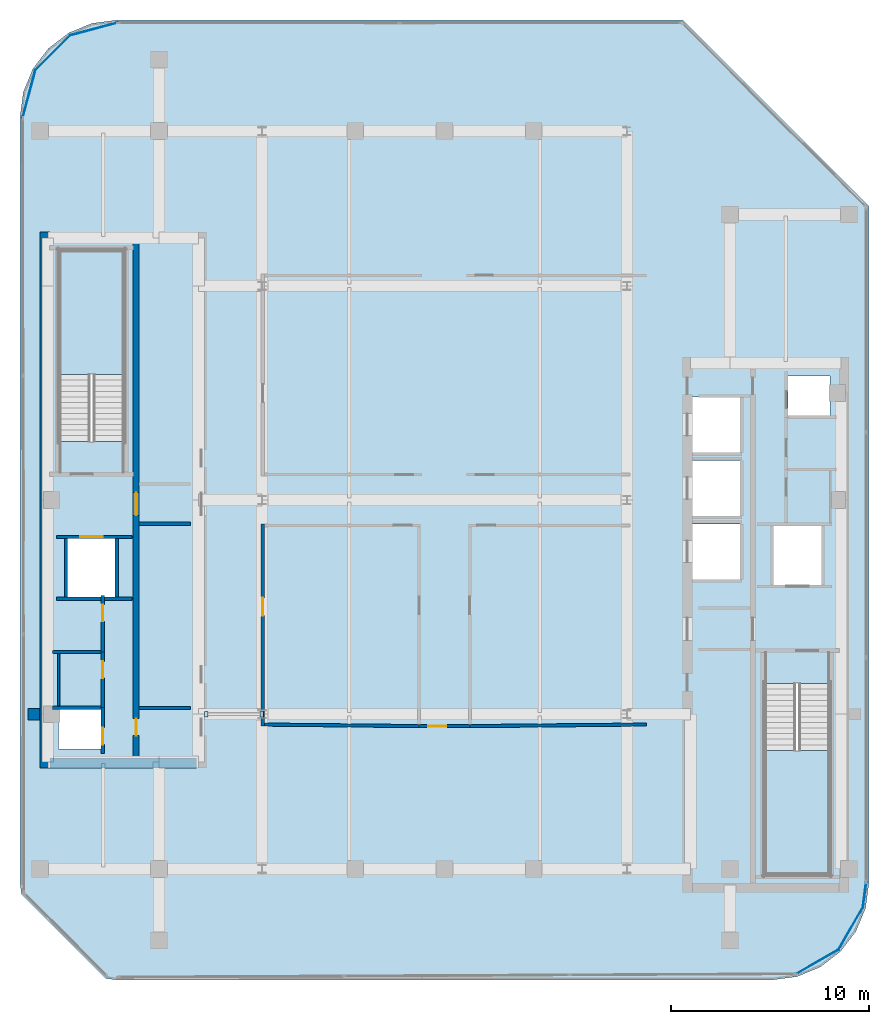
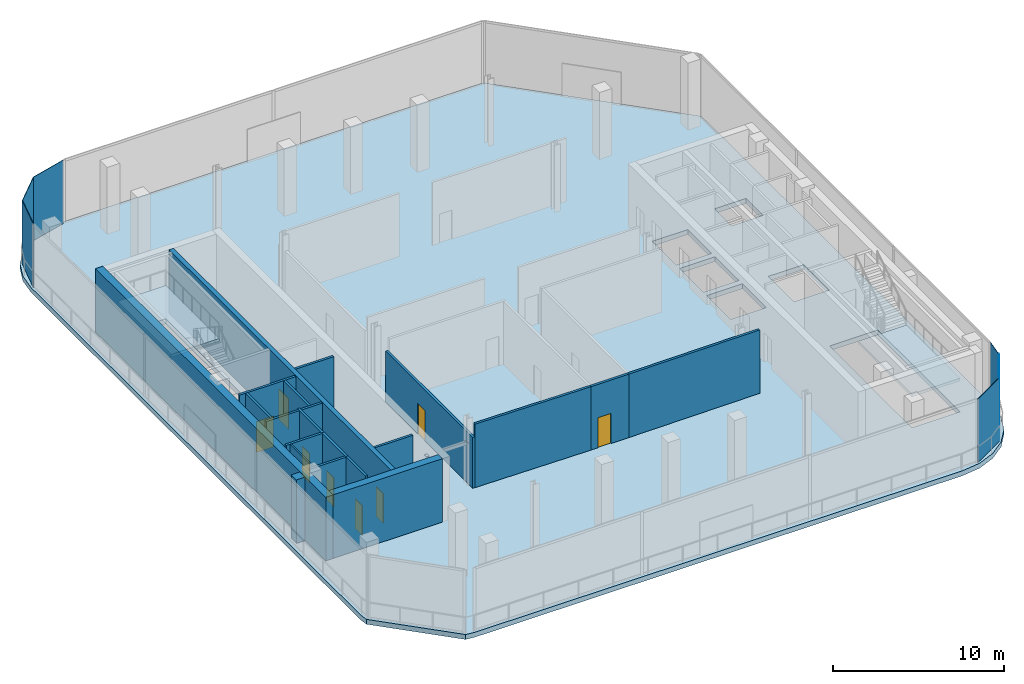
# One storey, part 2 of 13: 20 walls, 8 doors, 8 plates, 3 slabs, 8 openings, 2 elements without a shape of their own.
"""IFC4 building model written with IfcOpenShell, lengths in metres."""

from ifc_helpers import new_model, si_unit, direction, frame, frame_2d, origin, origin_2d, place, context, subcontext, project, spatial, polyline, rectangle, outline, extrude, material, layer, layer_set, type_object, element, fill, aggregate, save


model = new_model("IFC4")

# Units and contexts
model_context = context("Model", 3, precision=1e-05, world=origin(), true_north=direction((0.0, 1.0)))
body_context = subcontext(model_context, "Body", "Model", "MODEL_VIEW")
ifc_project = project(units=[si_unit("LENGTHUNIT", "METRE"), si_unit("AREAUNIT", "SQUARE_METRE"), si_unit("VOLUMEUNIT", "CUBIC_METRE"), si_unit("PLANEANGLEUNIT", "RADIAN"), si_unit("MASSUNIT", "GRAM", prefix="KILO")], contexts=[model_context])

# Site, building, storey
site_placement = place(None, origin())
site = spatial("IfcSite", under=ifc_project, at=site_placement, CompositionType="ELEMENT")
building_placement = place(site_placement, origin())
building = spatial("IfcBuilding", under=site, at=building_placement, Name="Khairoan Windgate Tower", CompositionType="ELEMENT")
storey_placement = place(building_placement, frame((0.0, 0.0, 272.800048828125)))
storey = spatial("IfcBuildingStorey", under=building, at=storey_placement, Name="L65", CompositionType="ELEMENT", Elevation=272.800048828125)

# Plates
ifc_material_1 = material(Name="Low-E Solar Control Laminated Glass", Category="glass")
ifc_layer_1 = layer(ifc_material_1, 0.030029296875, Name="Low-E Solar Control Laminated Glass")
ifc_layer_set_1 = layer_set([ifc_layer_1], Name="Low-E Solar Control Laminated Glass")
plate_type_1 = type_object("IfcPlateType", Name="Aerodynamic Wind-Corner Curved Glazing Plate", PredefinedType="USERDEFINED", material=ifc_layer_set_1)
plate_1_placement = place(storey_placement, frame((-20.940673828125, 20.485107421875, 0.0), z_axis=(0.0, 0.0, 1.0), x_axis=(0.258313252067, 0.966061211211, 0.0)))
element("IfcPlate", 1, at=plate_1_placement, inside=storey, type_object=plate_type_1, Name="L65 Aerodynamic Wind-Corner Curved Glazing Panel 5", ObjectType="GLAZING PANEL", PredefinedType="USERDEFINED", context=body_context, shape_type="SweptSolid", body=[
    extrude(rectangle(XDim=2.512451171875, YDim=0.035888671875, at=origin_2d()), origin(), (0.0, 0.0, 1.0), 4.5400390625),
])
plate_2_placement = place(storey_placement, frame((-19.750244140625, 22.55029296875, 0.0), z_axis=(0.0, 0.0, 1.0), x_axis=(0.707106781187, 0.707106781187, 0.0)))
element("IfcPlate", 2, at=plate_2_placement, inside=storey, type_object=plate_type_1, Name="L65 Aerodynamic Wind-Corner Curved Glazing Panel 6", ObjectType="GLAZING PANEL", PredefinedType="USERDEFINED", context=body_context, shape_type="SweptSolid", body=[
    extrude(rectangle(XDim=2.50341796875, YDim=0.035888671875, at=origin_2d()), origin(), (0.0, 0.0, 1.0), 4.5400390625),
])
plate_3_placement = place(storey_placement, frame((-17.68505859375, 23.740478515625, 0.0), z_axis=(0.0, 0.0, 1.0), x_axis=(0.966061211211, 0.258313252067, 0.0)))
element("IfcPlate", 3, at=plate_3_placement, inside=storey, type_object=plate_type_1, Name="L65 Aerodynamic Wind-Corner Curved Glazing Panel 7", ObjectType="GLAZING PANEL", PredefinedType="USERDEFINED", context=body_context, shape_type="SweptSolid", body=[
    extrude(rectangle(XDim=2.512451171875, YDim=0.035888671875, at=origin_2d()), origin(), (0.0, 0.0, 1.0), 4.5400390625),
])
plate_4_placement = place(storey_placement, frame((21.17822265625, -19.911376953125, 0.0), z_axis=(0.0, 0.0, 1.0), x_axis=(-0.13052619222, -0.991444861374, 0.0)))
element("IfcPlate", 4, at=plate_4_placement, inside=storey, type_object=plate_type_1, Name="L65 Aerodynamic Wind-Corner Curved Glazing Panel 11", ObjectType="GLAZING PANEL", PredefinedType="USERDEFINED", context=body_context, shape_type="SweptSolid", body=[
    extrude(rectangle(XDim=1.29150390625, YDim=0.035888671875, at=origin_2d()), origin(), (0.0, 0.0, 1.0), 4.5400390625),
])
for number, where, z_axis, x_axis, name in (
    (5, (20.480712890625, -21.598388671875, 0.0), (0.0, 0.0, 1.0), (-0.5, -0.866025403784, 0.0), "L65 Aerodynamic Wind-Corner Curved Glazing Panel 12"),
    (6, (18.79833984375, -23.28076171875, 0.0), (0.0, 0.0, 1.0), (-0.866025403784, -0.5, 0.0), "L65 Aerodynamic Wind-Corner Curved Glazing Panel 13"),
):
    element("IfcPlate", number, at=place(storey_placement, frame(where, z_axis=z_axis, x_axis=x_axis)), inside=storey, type_object=plate_type_1, Name=name, ObjectType="GLAZING PANEL", PredefinedType="USERDEFINED", context=body_context, shape_type="SweptSolid", body=[
        extrude(rectangle(XDim=2.50341796875, YDim=0.035888671875, at=origin_2d()), origin(), (0.0, 0.0, 1.0), 4.5400390625),
    ])
ifc_material_2 = material(Name="Steel S355", Category="steel")
ifc_layer_2 = layer(ifc_material_2, 0.0400390625, Name="Steel S355")
ifc_layer_set_2 = layer_set([ifc_layer_2], Name="Steel S355")
plate_type_2 = type_object("IfcPlateType", Name="Hollow Section End-Cap Plate PL-CAP40", PredefinedType="SHEET", material=ifc_layer_set_2)
for number, where, z_axis, x_axis, name in (
    (7, (-12.0048828125, -10.800048828125, 2.929931640625), (0.0, 0.0, 1.0), (1.0, 0.0, 0.0), "BM-LINTEL-L65 steel end-cap plate 1"),
    (8, (-9.215087890625, -10.800048828125, 2.929931640625), (0.0, 0.0, 1.0), (1.0, 0.0, 0.0), "BM-LINTEL-L65 steel end-cap plate 2"),
):
    element("IfcPlate", number, at=place(storey_placement, frame(where, z_axis=z_axis, x_axis=x_axis)), inside=storey, type_object=plate_type_2, Name=name, PredefinedType="SHEET", context=body_context, shape_type="SweptSolid", body=[
        extrude(rectangle(XDim=0.169921875, YDim=0.27001953125, at=origin_2d()), origin(), (0.0, 0.0, 1.0), 0.0400390625),
    ])

# Slab
ifc_material_3 = material(Name="Concrete C50/60", Category="concrete")
ifc_layer_3 = layer(ifc_material_3, 0.35009765625, Name="Concrete C50/60")
ifc_layer_set_3 = layer_set([ifc_layer_3], Name="Concrete C50/60")
slab_type_1 = type_object("IfcSlabType", Name="Outrigger Diaphragm Slab OS1 350mm", PredefinedType="FLOOR", material=ifc_layer_set_3)
slab_1_placement = place(storey_placement, frame((0.0, 0.0, -0.35009765625)))
element("IfcSlab", 9, at=slab_1_placement, inside=storey, type_object=slab_type_1, Name="L65 Structural Floor Slab", PredefinedType="FLOOR", context=body_context, shape_type="SweptSolid", body=[
    extrude(outline(polyline([(16.5, -24.199951171875), (17.768310546875, -24.032958984375), (18.949951171875, -23.54345703125), (19.96484375, -22.764892578125), (20.743408203125, -21.75), (21.23291015625, -20.568115234375), (21.39990234375, -19.300048828125), (21.39990234375, 14.820068359375), (12.02001953125, 24.199951171875), (-16.5, 24.199951171875), (-17.768310546875, 24.032958984375), (-18.949951171875, 23.54345703125), (-19.96484375, 22.764892578125), (-20.743408203125, 21.75), (-21.23291015625, 20.568115234375), (-21.39990234375, 19.300048828125), (-21.39990234375, -19.300048828125), (-21.32421875, -19.875732421875), (-17.07568359375, -24.124267578125), (-16.5, -24.199951171875), (16.5, -24.199951171875)]), holes=[polyline([(16.14990234375, -9.260009765625), (16.14990234375, -18.89990234375), (19.419921875, -18.89990234375), (19.419921875, -9.260009765625), (16.14990234375, -9.260009765625)]), polyline([(-16.14990234375, 2.9599609375), (-16.14990234375, 12.60009765625), (-19.419921875, 12.60009765625), (-19.419921875, 2.9599609375), (-16.14990234375, 2.9599609375)]), polyline([(12.5, 2.39990234375), (14.89990234375, 2.39990234375), (14.89990234375, 5.199951171875), (12.5, 5.199951171875), (12.5, 2.39990234375)]), polyline([(12.5, -0.800048828125), (14.89990234375, -0.800048828125), (14.89990234375, 2.0), (12.5, 2.0), (12.5, -0.800048828125)]), polyline([(12.5, -4.0), (14.89990234375, -4.0), (14.89990234375, -1.199951171875), (12.5, -1.199951171875), (12.5, -4.0)]), polyline([(16.60009765625, -4.300048828125), (19.0, -4.300048828125), (19.0, -1.300048828125), (16.60009765625, -1.300048828125), (16.60009765625, -4.300048828125)]), polyline([(-19.0, -4.89990234375), (-16.60009765625, -4.89990234375), (-16.60009765625, -1.89990234375), (-19.0, -1.89990234375), (-19.0, -4.89990234375)]), polyline([(-19.449951171875, -12.550048828125), (-17.31005859375, -12.550048828125), (-17.31005859375, -10.550048828125), (-19.449951171875, -10.550048828125), (-19.449951171875, -12.550048828125)]), polyline([(17.31005859375, 4.25), (19.449951171875, 4.25), (19.449951171875, 6.25), (17.31005859375, 6.25), (17.31005859375, 4.25)])]), origin(), (0.0, 0.0, 1.0), 0.35009765625),
])

# Stair, slab
ifc_material_4 = material(Name="Concrete C40/50", Category="concrete")
stair_type = type_object("IfcStairType", Name="Tower Core Dog-Leg Stair ST-T1 1560mm", PredefinedType="HALF_TURN_STAIR", material=ifc_material_4)
stair_1_placement = place(storey_placement, origin())
stair_1 = element("IfcStair", 10, at=stair_1_placement, inside=storey, type_object=stair_type, Name="L65 Stair ST1", PredefinedType="HALF_TURN_STAIR")
ifc_material_5 = material(Name="Concrete C40/50", Category="concrete")
ifc_layer_4 = layer(ifc_material_5, 0.199951171875, Name="Concrete C40/50")
ifc_layer_set_4 = layer_set([ifc_layer_4], Name="Concrete C40/50")
slab_type_2 = type_object("IfcSlabType", Name="Reinforced Concrete Stair Landing Slab STL-200", PredefinedType="LANDING", material=ifc_layer_set_4)
slab_2_placement = place(storey_placement, frame((0.0, 0.0, 2.199951171875)))
slab_2 = element("IfcSlab", 11, at=slab_2_placement, type_object=slab_type_2, Name="ST1 landing 1", PredefinedType="LANDING", context=body_context, shape_type="SweptSolid", body=[
    extrude(outline(polyline([(16.14990234375, -12.6201171875), (16.14990234375, -18.89990234375), (19.419921875, -18.89990234375), (19.419921875, -12.6201171875), (16.14990234375, -12.6201171875)])), origin(), (0.0, 0.0, 1.0), 0.199951171875),
])
aggregate(stair_1, [slab_2])

stair_2_placement = place(storey_placement, origin())
stair_2 = element("IfcStair", 12, at=stair_2_placement, inside=storey, type_object=stair_type, Name="L65 Stair ST2", PredefinedType="HALF_TURN_STAIR")
slab_3_placement = place(storey_placement, frame((0.0, 0.0, 2.199951171875)))
slab_3 = element("IfcSlab", 13, at=slab_3_placement, type_object=slab_type_2, Name="ST2 landing 1", PredefinedType="LANDING", context=body_context, shape_type="SweptSolid", body=[
    extrude(outline(polyline([(-16.14990234375, 6.320068359375), (-16.14990234375, 12.60009765625), (-19.419921875, 12.60009765625), (-19.419921875, 6.320068359375), (-16.14990234375, 6.320068359375)])), origin(), (0.0, 0.0, 1.0), 0.199951171875),
])
aggregate(stair_2, [slab_3])

# Wall
ifc_material_6 = material(Name="Moisture-Resistant Gypsum Partition", Category="gypsum")
ifc_layer_5 = layer(ifc_material_6, 0.10009765625, Name="Moisture-Resistant Gypsum Partition")
ifc_layer_set_5 = layer_set([ifc_layer_5], Name="Moisture-Resistant Gypsum Partition")
wall_type_1 = type_object("IfcWallType", Name="Bathroom Wet-Area Partition Wall", PredefinedType="PARTITIONING", material=ifc_layer_set_5)
wall_1_placement = place(storey_placement, frame((-19.449951171875, -10.389892578125, 0.0), z_axis=(0.0, 0.0, 1.0), x_axis=(0.0, 1.0, 0.0)))
element("IfcWall", 14, at=wall_1_placement, inside=storey, type_object=wall_type_1, Name="L65 Wet Room Side Wall 024", PredefinedType="PARTITIONING", context=body_context, shape_type="SweptSolid", body=[
    extrude(rectangle(XDim=2.639892578125, YDim=0.10009765625, at=frame_2d((1.31982421875, 0.0))), origin(), (0.0, 0.0, 1.0), 4.5400390625),
])

# Wall, opening, door
ifc_material_7 = material(Name="Concrete C40/50", Category="concrete")
ifc_layer_6 = layer(ifc_material_7, 0.159912109375, Name="Concrete C40/50")
ifc_layer_set_6 = layer_set([ifc_layer_6], Name="Concrete C40/50")
wall_type_2 = type_object("IfcWallType", Name="Core and Hoistway Enclosure Wall", PredefinedType="STANDARD", material=ifc_layer_set_6)
wall_2_placement = place(storey_placement, frame((-19.550048828125, -1.860107421875, 0.0), z_axis=(0.0, 0.0, 1.0), x_axis=(1.0, 0.0, 0.0)))
wall_2 = element("IfcWall", 15, at=wall_2_placement, inside=storey, type_object=wall_type_2, Name="L65 Core Shaft Wall SW-FL2-L65", PredefinedType="STANDARD", context=body_context, shape_type="SweptSolid", body=[
    extrude(rectangle(XDim=3.800048828125, YDim=0.159912109375, at=frame_2d((1.89990234375, 0.0))), origin(), (0.0, 0.0, 1.0), 4.5400390625),
])
opening_1_placement = place(wall_2_placement, frame((1.179931640625, 0.0, 0.0)))
opening_1 = element("IfcOpeningElement", 16, at=opening_1_placement, cuts=wall_2, Name="Opening LD-FL", PredefinedType="OPENING", context=body_context, shape_type="SweptSolid", body=[
    extrude(rectangle(XDim=1.14990234375, YDim=2.199951171875, at=frame_2d((0.574951171875, 1.10009765625))), frame((0.0, 0.08984375, 0.0), z_axis=(0.0, -1.0, 0.0), x_axis=(1.0, 0.0, 0.0)), (0.0, 0.0, 1.0), 0.179931640625),
])
ifc_material_8 = material(Name="Steel S355", Category="steel")
door_type_1 = type_object("IfcDoorType", Name="Firefighting Lift Sliding Landing Door LD-FL 1150x2200", OperationType="DOUBLE_DOOR_SLIDING", PredefinedType="DOOR", material=ifc_material_8)
door_1_placement = place(opening_1_placement, origin())
door_1 = element("IfcDoor", 17, at=door_1_placement, inside=storey, type_object=door_type_1, Name="L65 Firefighting Lift FL2 Landing Door", OperationType="DOUBLE_DOOR_SLIDING", OverallHeight=2.199951171875, OverallWidth=1.14990234375, PredefinedType="DOOR", context=body_context, shape_type="SweptSolid", body=[
    extrude(rectangle(XDim=1.14990234375, YDim=2.199951171875, at=frame_2d((0.574951171875, 1.10009765625))), frame((0.0, 0.02490234375, 0.0), z_axis=(0.0, -1.0, 0.0), x_axis=(1.0, 0.0, 0.0)), (0.0, 0.0, 1.0), 0.050048828125),
])
fill(opening_1, door_1)

# Walls
wall_3_placement = place(storey_placement, frame((-19.550048828125, -4.97998046875, 0.0), z_axis=(0.0, 0.0, 1.0), x_axis=(1.0, 0.0, 0.0)))
element("IfcWall", 18, at=wall_3_placement, inside=storey, type_object=wall_type_2, Name="L65 Core Shaft Wall SW-FL2B-L65", PredefinedType="STANDARD", context=body_context, shape_type="SweptSolid", body=[
    extrude(rectangle(XDim=3.800048828125, YDim=0.159912109375, at=frame_2d((1.89990234375, 0.0))), origin(), (0.0, 0.0, 1.0), 4.5400390625),
])
for number, where, z_axis, x_axis, name in (
    (19, (-19.080078125, -4.89990234375, 0.0), (0.0, 0.0, 1.0), (0.0, 1.0, 0.0), "L65 Core Shaft Wall SW-FL2W-L65"),
    (20, (-16.52001953125, -4.89990234375, 0.0), (0.0, 0.0, 1.0), (0.0, 1.0, 0.0), "L65 Core Shaft Wall SW-FL2E-L65"),
):
    element("IfcWall", number, at=place(storey_placement, frame(where, z_axis=z_axis, x_axis=x_axis)), inside=storey, type_object=wall_type_2, Name=name, PredefinedType="STANDARD", context=body_context, shape_type="SweptSolid", body=[
        extrude(rectangle(XDim=2.9599609375, YDim=0.159912109375, at=frame_2d((1.47998046875, 0.0))), origin(), (0.0, 0.0, 1.0), 4.5400390625),
    ])
for number, where, z_axis, x_axis, name in (
    (21, (-15.39990234375, -1.199951171875, 0.0), (0.0, 0.0, 1.0), (1.0, 0.0, 0.0), "L65 Core Shaft Wall SW-WV2-L65"),
    (22, (-15.39990234375, -10.47998046875, 0.0), (0.0, 0.0, 1.0), (1.0, 0.0, 0.0), "L65 Core Shaft Wall SW-WSV-L65"),
):
    element("IfcWall", number, at=place(storey_placement, frame(where, z_axis=z_axis, x_axis=x_axis)), inside=storey, type_object=wall_type_2, Name=name, PredefinedType="STANDARD", context=body_context, shape_type="SweptSolid", body=[
        extrude(rectangle(XDim=2.599853515625, YDim=0.159912109375, at=frame_2d((1.2998046875, 0.0))), origin(), (0.0, 0.0, 1.0), 4.5400390625),
    ])

# Wall, opening, door
ifc_material_9 = material(Name="Concrete C40/50", Category="concrete")
ifc_layer_7 = layer(ifc_material_9, 0.159912109375, Name="Concrete C40/50")
ifc_layer_set_7 = layer_set([ifc_layer_7], Name="Concrete C40/50")
wall_type_3 = type_object("IfcWallType", Name="Plant and Refuge Compartment Wall", PredefinedType="PARTITIONING", material=ifc_layer_set_7)
wall_4_placement = place(storey_placement, frame((-17.22998046875, -12.7900390625, 0.0), z_axis=(0.0, 0.0, 1.0), x_axis=(0.0, 1.0, 0.0)))
wall_4 = element("IfcWall", 23, at=wall_4_placement, inside=storey, type_object=wall_type_3, Name="L65 Interior Partition 001", PredefinedType="PARTITIONING", context=body_context, shape_type="SweptSolid", body=[
    extrude(rectangle(XDim=2.320068359375, YDim=0.159912109375, at=frame_2d((1.16015625, 0.0))), origin(), (0.0, 0.0, 1.0), 4.5400390625),
])
opening_2_placement = place(wall_4_placement, frame((0.4599609375, 0.0, 0.0)))
opening_2 = element("IfcOpeningElement", 24, at=opening_2_placement, cuts=wall_4, Name="Opening FD-SRV", PredefinedType="OPENING", context=body_context, shape_type="SweptSolid", body=[
    extrude(rectangle(XDim=0.85009765625, YDim=2.10009765625, at=frame_2d((0.425048828125, 1.050048828125))), frame((0.0, 0.08984375, 0.0), z_axis=(0.0, -1.0, 0.0), x_axis=(1.0, 0.0, 0.0)), (0.0, 0.0, 1.0), 0.179931640625),
])
ifc_material_10 = material(Name="Steel S355", Category="steel")
door_type_2 = type_object("IfcDoorType", Name="Core Service and Riser Fire Door FD-SRV 850x2100", OperationType="NOTDEFINED", PredefinedType="DOOR", material=ifc_material_10)
door_2_placement = place(opening_2_placement, origin())
door_2 = element("IfcDoor", 25, at=door_2_placement, inside=storey, type_object=door_type_2, Name="L65 L65-04-L65-05 Door", OperationType="SINGLE_SWING_LEFT", OverallHeight=2.10009765625, OverallWidth=0.85009765625, PredefinedType="DOOR", context=body_context, shape_type="SweptSolid", body=[
    extrude(rectangle(XDim=0.85009765625, YDim=2.10009765625, at=frame_2d((0.425048828125, 1.050048828125))), frame((0.0, 0.02490234375, 0.0), z_axis=(0.0, -1.0, 0.0), x_axis=(1.0, 0.0, 0.0)), (0.0, 0.0, 1.0), 0.050048828125),
])
fill(opening_2, door_2)

wall_5_placement = place(storey_placement, frame((-17.22998046875, -10.469970703125, 0.0), z_axis=(0.0, 0.0, 1.0), x_axis=(0.0, 1.0, 0.0)))
wall_5 = element("IfcWall", 26, at=wall_5_placement, inside=storey, type_object=wall_type_3, Name="L65 Interior Partition 002", PredefinedType="PARTITIONING", context=body_context, shape_type="SweptSolid", body=[
    extrude(rectangle(XDim=2.800048828125, YDim=0.159912109375, at=frame_2d((1.39990234375, 0.0))), origin(), (0.0, 0.0, 1.0), 4.5400390625),
])
opening_3_placement = place(wall_5_placement, frame((1.489990234375, 0.0, 0.0)))
opening_3 = element("IfcOpeningElement", 27, at=opening_3_placement, cuts=wall_5, Name="Opening FD-SRV", PredefinedType="OPENING", context=body_context, shape_type="SweptSolid", body=[
    extrude(rectangle(XDim=0.85009765625, YDim=2.10009765625, at=frame_2d((0.425048828125, 1.050048828125))), frame((0.0, 0.08984375, 0.0), z_axis=(0.0, -1.0, 0.0), x_axis=(1.0, 0.0, 0.0)), (0.0, 0.0, 1.0), 0.179931640625),
])
door_3_placement = place(opening_3_placement, origin())
door_3 = element("IfcDoor", 28, at=door_3_placement, inside=storey, type_object=door_type_2, Name="L65 L65-04-L65-06 Door", OperationType="SINGLE_SWING_RIGHT", OverallHeight=2.10009765625, OverallWidth=0.85009765625, PredefinedType="DOOR", context=body_context, shape_type="SweptSolid", body=[
    extrude(rectangle(XDim=0.85009765625, YDim=2.10009765625, at=frame_2d((0.425048828125, 1.050048828125))), frame((0.0, 0.02490234375, 0.0), z_axis=(0.0, -1.0, 0.0), x_axis=(1.0, 0.0, 0.0)), (0.0, 0.0, 1.0), 0.050048828125),
])
fill(opening_3, door_3)

wall_6_placement = place(storey_placement, frame((-17.22998046875, -7.669921875, 0.0), z_axis=(0.0, 0.0, 1.0), x_axis=(0.0, 1.0, 0.0)))
wall_6 = element("IfcWall", 29, at=wall_6_placement, inside=storey, type_object=wall_type_3, Name="L65 Interior Partition 003", PredefinedType="PARTITIONING", context=body_context, shape_type="SweptSolid", body=[
    extrude(rectangle(XDim=2.85986328125, YDim=0.159912109375, at=frame_2d((1.429931640625, 0.0))), origin(), (0.0, 0.0, 1.0), 4.5400390625),
])
opening_4_placement = place(wall_6_placement, frame((1.550048828125, 0.0, 0.0)))
opening_4 = element("IfcOpeningElement", 30, at=opening_4_placement, cuts=wall_6, Name="Opening FD-SRV", PredefinedType="OPENING", context=body_context, shape_type="SweptSolid", body=[
    extrude(rectangle(XDim=0.85009765625, YDim=2.10009765625, at=frame_2d((0.425048828125, 1.050048828125))), frame((0.0, 0.08984375, 0.0), z_axis=(0.0, -1.0, 0.0), x_axis=(1.0, 0.0, 0.0)), (0.0, 0.0, 1.0), 0.179931640625),
])
door_4_placement = place(opening_4_placement, origin())
door_4 = element("IfcDoor", 31, at=door_4_placement, inside=storey, type_object=door_type_2, Name="L65 L65-04-L65-07 Door", OperationType="SINGLE_SWING_LEFT", OverallHeight=2.10009765625, OverallWidth=0.85009765625, PredefinedType="DOOR", context=body_context, shape_type="SweptSolid", body=[
    extrude(rectangle(XDim=0.85009765625, YDim=2.10009765625, at=frame_2d((0.425048828125, 1.050048828125))), frame((0.0, 0.02490234375, 0.0), z_axis=(0.0, -1.0, 0.0), x_axis=(1.0, 0.0, 0.0)), (0.0, 0.0, 1.0), 0.050048828125),
])
fill(opening_4, door_4)

# Walls
for number, where, z_axis, x_axis, name in (
    (32, (-19.75, -10.469970703125, 0.0), (0.0, 0.0, 1.0), (1.0, 0.0, 0.0), "L65 Interior Partition 004"),
    (33, (-19.75, -7.669921875, 0.0), (0.0, 0.0, 1.0), (1.0, 0.0, 0.0), "L65 Interior Partition 005"),
):
    element("IfcWall", number, at=place(storey_placement, frame(where, z_axis=z_axis, x_axis=x_axis)), inside=storey, type_object=wall_type_3, Name=name, PredefinedType="PARTITIONING", context=body_context, shape_type="SweptSolid", body=[
        extrude(rectangle(XDim=2.43994140625, YDim=0.159912109375, at=frame_2d((1.219970703125, 0.0))), origin(), (0.0, 0.0, 1.0), 4.5400390625),
    ])

# Wall, opening, door
wall_7_placement = place(storey_placement, frame((-9.159912109375, -11.402099609375, 0.0), z_axis=(0.0, 0.0, 1.0), x_axis=(0.0, 1.0, 0.0)))
wall_7 = element("IfcWall", 34, at=wall_7_placement, inside=storey, type_object=wall_type_3, Name="L65 Interior Partition 012", PredefinedType="PARTITIONING", context=body_context, shape_type="SweptSolid", body=[
    extrude(rectangle(XDim=10.2021484375, YDim=0.159912109375, at=frame_2d((5.10107421875, 0.0))), origin(), (0.0, 0.0, 1.0), 3.639892578125),
])
opening_5_placement = place(wall_7_placement, frame((5.571044921875, 0.0, 0.0)))
opening_5 = element("IfcOpeningElement", 35, at=opening_5_placement, cuts=wall_7, Name="Opening FD-ENT", PredefinedType="OPENING", context=body_context, shape_type="SweptSolid", body=[
    extrude(rectangle(XDim=0.89990234375, YDim=2.14990234375, at=frame_2d((0.449951171875, 1.074951171875))), frame((0.0, 0.08984375, 0.0), z_axis=(0.0, -1.0, 0.0), x_axis=(1.0, 0.0, 0.0)), (0.0, 0.0, 1.0), 0.179931640625),
])
ifc_material_11 = material(Name="Timber Fire-Rated Core", Category="wood")
door_type_3 = type_object("IfcDoorType", Name="Unit and Office Fire Entrance Door FD-ENT 900x2150", OperationType="NOTDEFINED", PredefinedType="DOOR", material=ifc_material_11)
door_5_placement = place(opening_5_placement, origin())
door_5 = element("IfcDoor", 36, at=door_5_placement, inside=storey, type_object=door_type_3, Name="L65 L65-25-L65-33 Door", OperationType="SINGLE_SWING_RIGHT", OverallHeight=2.14990234375, OverallWidth=0.89990234375, PredefinedType="DOOR", context=body_context, shape_type="SweptSolid", body=[
    extrude(rectangle(XDim=0.89990234375, YDim=2.14990234375, at=frame_2d((0.449951171875, 1.074951171875))), frame((0.0, 0.02490234375, 0.0), z_axis=(0.0, -1.0, 0.0), x_axis=(1.0, 0.0, 0.0)), (0.0, 0.0, 1.0), 0.050048828125),
])
fill(opening_5, door_5)

wall_8_placement = place(storey_placement, frame((-1.280029296875, -11.39990234375, 0.0), z_axis=(0.0, 0.0, 1.0), x_axis=(1.0, 0.0, 0.0)))
wall_8 = element("IfcWall", 37, at=wall_8_placement, inside=storey, type_object=wall_type_3, Name="L65 Interior Partition 017", PredefinedType="PARTITIONING", context=body_context, shape_type="SweptSolid", body=[
    extrude(rectangle(XDim=2.56005859375, YDim=0.159912109375, at=frame_2d((1.280029296875, 0.0))), origin(), (0.0, 0.0, 1.0), 4.5400390625),
])
opening_6_placement = place(wall_8_placement, frame((0.4599609375, 0.0, 0.0)))
opening_6 = element("IfcOpeningElement", 38, at=opening_6_placement, cuts=wall_8, Name="Opening FD-ENT", PredefinedType="OPENING", context=body_context, shape_type="SweptSolid", body=[
    extrude(rectangle(XDim=0.89990234375, YDim=2.14990234375, at=frame_2d((0.449951171875, 1.074951171875))), frame((0.0, 0.08984375, 0.0), z_axis=(0.0, -1.0, 0.0), x_axis=(1.0, 0.0, 0.0)), (0.0, 0.0, 1.0), 0.179931640625),
])
door_6_placement = place(opening_6_placement, origin())
door_6 = element("IfcDoor", 39, at=door_6_placement, inside=storey, type_object=door_type_3, Name="L65 L65-28-L65-30 Door", OperationType="SINGLE_SWING_LEFT", OverallHeight=2.14990234375, OverallWidth=0.89990234375, PredefinedType="DOOR", context=body_context, shape_type="SweptSolid", body=[
    extrude(rectangle(XDim=0.89990234375, YDim=2.14990234375, at=frame_2d((0.449951171875, 1.074951171875))), frame((0.0, 0.02490234375, 0.0), z_axis=(0.0, -1.0, 0.0), x_axis=(1.0, 0.0, 0.0)), (0.0, 0.0, 1.0), 0.050048828125),
])
fill(opening_6, door_6)

# Walls
wall_9_placement = place(storey_placement, frame((-9.080078125, -11.32275390625, 0.0), z_axis=(0.0, 0.0, 1.0), x_axis=(0.999951089988, -0.009890279647, 0.0)))
element("IfcWall", 40, at=wall_9_placement, inside=storey, type_object=wall_type_3, Name="L65 Interior Partition 022", PredefinedType="PARTITIONING", context=body_context, shape_type="SweptSolid", body=[
    extrude(rectangle(XDim=7.800537109375, YDim=0.159912109375, at=frame_2d((3.900390625, 0.0))), origin(), (0.0, 0.0, 1.0), 4.5400390625),
])
wall_10_placement = place(storey_placement, frame((1.280029296875, -11.39990234375, 0.0), z_axis=(0.0, 0.0, 1.0), x_axis=(0.999959860438, 0.008959771869, 0.0)))
element("IfcWall", 41, at=wall_10_placement, inside=storey, type_object=wall_type_3, Name="L65 Interior Partition 023", PredefinedType="PARTITIONING", context=body_context, shape_type="SweptSolid", body=[
    extrude(rectangle(XDim=8.91015625, YDim=0.159912109375, at=frame_2d((4.455078125, 0.0))), origin(), (0.0, 0.0, 1.0), 4.5400390625),
])
ifc_material_12 = material(Name="Concrete C50/60", Category="concrete")
ifc_layer_8 = layer(ifc_material_12, 0.5, Name="Concrete C50/60")
ifc_layer_set_8 = layer_set([ifc_layer_8], Name="Concrete C50/60")
wall_type_4 = type_object("IfcWallType", Name="Shear Wall CW-W3 500mm", PredefinedType="SHEAR", material=ifc_layer_set_8)
wall_11_placement = place(storey_placement, frame((-20.14990234375, -13.5, 0.0), z_axis=(0.0, 0.0, 1.0), x_axis=(0.0, 1.0, 0.0)))
element("IfcWall", 42, at=wall_11_placement, inside=storey, type_object=wall_type_4, Name="W Core West Shear Wall L65", PredefinedType="SHEAR", context=body_context, shape_type="SweptSolid", body=[
    extrude(rectangle(XDim=27.0, YDim=0.5, at=frame_2d((13.5, 0.0))), origin(), (0.0, 0.0, 1.0), 4.5400390625),
])
wall_12_placement = place(storey_placement, frame((-19.89990234375, -13.25, 0.0), z_axis=(0.0, 0.0, 1.0), x_axis=(1.0, 0.0, 0.0)))
element("IfcWall", 43, at=wall_12_placement, inside=storey, type_object=wall_type_4, Name="W Core South Shear Wall L65", PredefinedType="SHEAR", context=body_context, shape_type="SweptSolid", body=[
    extrude(rectangle(XDim=7.39990234375, YDim=0.5, at=frame_2d((3.699951171875, 0.0))), origin(), (0.0, 0.0, 1.0), 4.5400390625),
])
ifc_material_13 = material(Name="Concrete C70/85", Category="concrete")
ifc_layer_9 = layer(ifc_material_13, 0.60009765625, Name="Concrete C70/85")
ifc_layer_set_9 = layer_set([ifc_layer_9], Name="Concrete C70/85")
wall_type_5 = type_object("IfcWallType", Name="Shear Wall OW-1 600mm", PredefinedType="SHEAR", material=ifc_layer_set_9)
wall_13_placement = place(storey_placement, frame((-21.0, -10.800048828125, 0.0), z_axis=(0.0, 0.0, 1.0), x_axis=(1.0, 0.0, 0.0)))
element("IfcWall", 44, at=wall_13_placement, inside=storey, type_object=wall_type_5, Name="L65 Outrigger Shear Wall WW-S", PredefinedType="SHEAR", context=body_context, shape_type="SweptSolid", body=[
    extrude(rectangle(XDim=0.580078125, YDim=0.60009765625, at=frame_2d((0.2900390625, 0.0))), origin(), (0.0, 0.0, 1.0), 4.5400390625),
])

# Wall, openings, doors
ifc_material_14 = material(Name="Concrete C50/60", Category="concrete")
ifc_layer_10 = layer(ifc_material_14, 0.300048828125, Name="Concrete C50/60")
ifc_layer_set_10 = layer_set([ifc_layer_10], Name="Concrete C50/60")
wall_type_6 = type_object("IfcWallType", Name="Shear Wall SW-2 300mm", PredefinedType="SHEAR", material=ifc_layer_set_10)
wall_14_placement = place(storey_placement, frame((-15.550048828125, -13.0, 0.0), z_axis=(0.0, 0.0, 1.0), x_axis=(0.0, 1.0, 0.0)))
wall_14 = element("IfcWall", 45, at=wall_14_placement, inside=storey, type_object=wall_type_6, Name="W Core Spine Shear Wall L65", PredefinedType="SHEAR", context=body_context, shape_type="SweptSolid", body=[
    extrude(rectangle(XDim=26.0, YDim=0.300048828125, at=frame_2d((13.0, 0.0))), origin(), (0.0, 0.0, 1.0), 4.5400390625),
])
opening_7_placement = place(wall_14_placement, frame((12.22509765625, 0.0, 0.0)))
opening_7 = element("IfcOpeningElement", 46, at=opening_7_placement, cuts=wall_14, Name="Opening FD-FFL", PredefinedType="OPENING", context=body_context, shape_type="SweptSolid", body=[
    extrude(rectangle(XDim=1.14990234375, YDim=2.199951171875, at=frame_2d((0.574951171875, 1.10009765625))), frame((0.0, 0.159912109375, 0.0), z_axis=(0.0, -1.0, 0.0), x_axis=(1.0, 0.0, 0.0)), (0.0, 0.0, 1.0), 0.320068359375),
])
opening_8_placement = place(wall_14_placement, frame((1.125, 0.0, 0.0)))
opening_8 = element("IfcOpeningElement", 47, at=opening_8_placement, cuts=wall_14, Name="Opening FD-SRV", PredefinedType="OPENING", context=body_context, shape_type="SweptSolid", body=[
    extrude(rectangle(XDim=0.85009765625, YDim=2.10009765625, at=frame_2d((0.425048828125, 1.050048828125))), frame((0.0, 0.159912109375, 0.0), z_axis=(0.0, -1.0, 0.0), x_axis=(1.0, 0.0, 0.0)), (0.0, 0.0, 1.0), 0.320068359375),
])
door_7_placement = place(opening_8_placement, origin())
door_7 = element("IfcDoor", 48, at=door_7_placement, inside=storey, type_object=door_type_2, Name="L65 West Core Service Passage Inner Door", OperationType="SINGLE_SWING_RIGHT", OverallHeight=2.10009765625, OverallWidth=0.85009765625, PredefinedType="DOOR", context=body_context, shape_type="SweptSolid", body=[
    extrude(rectangle(XDim=0.85009765625, YDim=2.10009765625, at=frame_2d((0.425048828125, 1.050048828125))), frame((0.0, 0.02490234375, 0.0), z_axis=(0.0, -1.0, 0.0), x_axis=(1.0, 0.0, 0.0)), (0.0, 0.0, 1.0), 0.050048828125),
])
fill(opening_8, door_7)
ifc_material_15 = material(Name="Steel S355", Category="steel")
door_type_4 = type_object("IfcDoorType", Name="Firefighting Lobby Fire Door FD-FFL 1150x2200", OperationType="NOTDEFINED", PredefinedType="DOOR", material=ifc_material_15)
door_8_placement = place(opening_7_placement, origin())
door_8 = element("IfcDoor", 49, at=door_8_placement, inside=storey, type_object=door_type_4, Name="L65 West Firefighting Lobby Fire Door", OperationType="SINGLE_SWING_RIGHT", OverallHeight=2.199951171875, OverallWidth=1.14990234375, PredefinedType="DOOR", context=body_context, shape_type="SweptSolid", body=[
    extrude(rectangle(XDim=1.14990234375, YDim=2.199951171875, at=frame_2d((0.574951171875, 1.10009765625))), frame((0.0, 0.02490234375, 0.0), z_axis=(0.0, -1.0, 0.0), x_axis=(1.0, 0.0, 0.0)), (0.0, 0.0, 1.0), 0.050048828125),
])
fill(opening_7, door_8)

save(model, "model.ifc")
